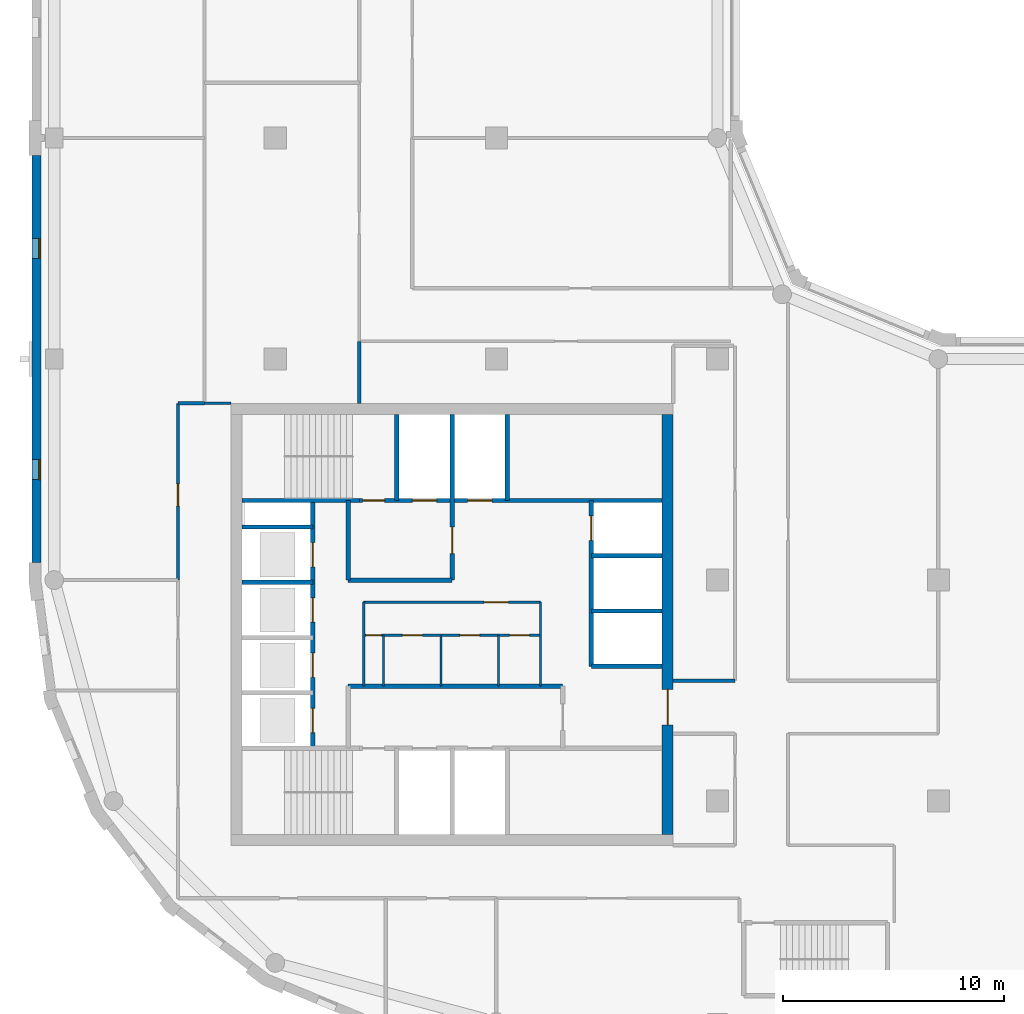
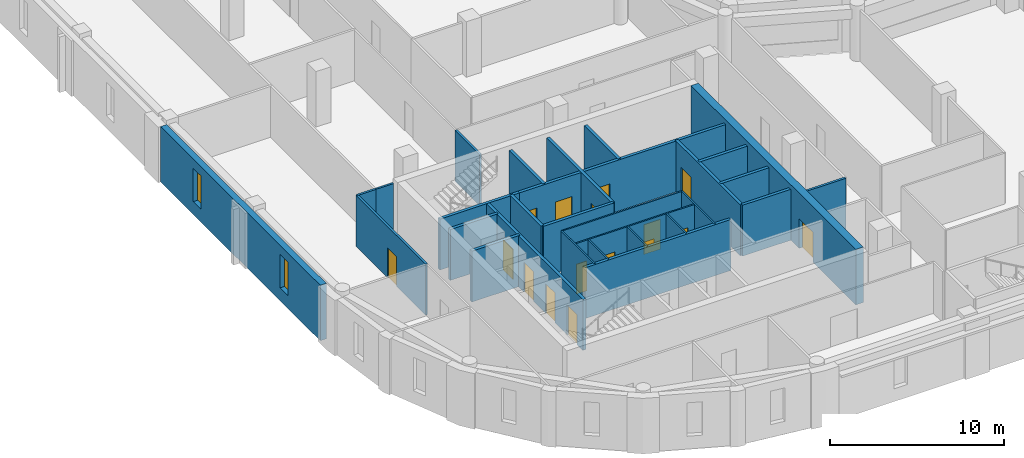
# One storey, part 3 of 9: 29 walls, 16 doors, 2 windows, 18 openings.
"""IFC4 building model written with IfcOpenShell, lengths in metres."""

from ifc_helpers import new_model, si_unit, direction, frame, frame_2d, origin, place, context, subcontext, project, spatial, rectangle, extrude, material, layer, layer_set, type_object, element, fill, save


model = new_model("IFC4")

# Units and contexts
model_context = context("Model", 3, precision=1e-05, world=origin(), true_north=direction((0.0, 1.0)))
body_context = subcontext(model_context, "Body", "Model", "MODEL_VIEW")
ifc_project = project(units=[si_unit("LENGTHUNIT", "METRE"), si_unit("AREAUNIT", "SQUARE_METRE"), si_unit("VOLUMEUNIT", "CUBIC_METRE"), si_unit("PLANEANGLEUNIT", "RADIAN"), si_unit("MASSUNIT", "GRAM", prefix="KILO")], contexts=[model_context])

# Site, building, storey
site_placement = place(None, origin())
site = spatial("IfcSite", under=ifc_project, at=site_placement, CompositionType="ELEMENT")
building_placement = place(site_placement, origin())
building = spatial("IfcBuilding", under=site, at=building_placement, Name="Qaws Garden Tower", CompositionType="ELEMENT")
storey_placement = place(building_placement, frame((0.0, 0.0, 270.89990234375)))
storey = spatial("IfcBuildingStorey", under=building, at=storey_placement, Name="L65", CompositionType="ELEMENT", Elevation=270.89990234375)

# Wall, openings, windows
ifc_material_1 = material(Name="Clay facing brick masonry", Category="masonry")
ifc_layer_1 = layer(ifc_material_1, 0.39990234375)
ifc_layer_set_1 = layer_set([ifc_layer_1], Name="Clay facing brick masonry")
wall_type_1 = type_object("IfcWallType", Name="Brick infill wall 400", PredefinedType="SOLIDWALL", material=ifc_layer_set_1)
wall_1_placement = place(storey_placement, frame((-0.800048828125, 39.199951171875, 0.0), z_axis=(0.0, 0.0, 1.0), x_axis=(0.0, -1.0, 0.0)))
wall_1 = element("IfcWall", 1, at=wall_1_placement, inside=storey, type_object=wall_type_1, Name="E-L65-infill-21", PredefinedType="SOLIDWALL", context=body_context, shape_type="SweptSolid", body=[
    extrude(rectangle(XDim=18.39990234375, YDim=0.39990234375, at=frame_2d((9.199951171875, 0.0))), origin(), (0.0, 0.0, 1.0), 3.900146484375),
])
opening_1_placement = place(wall_1_placement, frame((3.75, 0.0, 0.89990234375)))
opening_1 = element("IfcOpeningElement", 2, at=opening_1_placement, cuts=wall_1, Name="Opening W09", PredefinedType="OPENING", context=body_context, shape_type="SweptSolid", body=[
    extrude(rectangle(XDim=0.89990234375, YDim=2.35009765625, at=frame_2d((0.449951171875, 1.175048828125))), frame((0.0, 0.2099609375, 0.0), z_axis=(0.0, -1.0, 0.0), x_axis=(1.0, 0.0, 0.0)), (0.0, 0.0, 1.0), 0.419921875),
])
opening_2_placement = place(wall_1_placement, frame((13.75, 0.0, 0.89990234375)))
opening_2 = element("IfcOpeningElement", 3, at=opening_2_placement, cuts=wall_1, Name="Opening W09", PredefinedType="OPENING", context=body_context, shape_type="SweptSolid", body=[
    extrude(rectangle(XDim=0.89990234375, YDim=2.35009765625, at=frame_2d((0.449951171875, 1.175048828125))), frame((0.0, 0.2099609375, 0.0), z_axis=(0.0, -1.0, 0.0), x_axis=(1.0, 0.0, 0.0)), (0.0, 0.0, 1.0), 0.419921875),
])
ifc_material_2 = material(Name="Aluminium framed window, clear glazing", Category="aluminium")
window_type = type_object("IfcWindowType", Name="Slit window 900 x 2350", PartitioningType="SINGLE_PANEL", PredefinedType="WINDOW", material=ifc_material_2)
window_1_placement = place(opening_1_placement, origin())
window_1 = element("IfcWindow", 4, at=window_1_placement, inside=storey, type_object=window_type, Name="E-L65-window-21-0", OverallHeight=2.35009765625, OverallWidth=0.89990234375, PartitioningType="SINGLE_PANEL", PredefinedType="WINDOW", context=body_context, shape_type="SweptSolid", body=[
    extrude(rectangle(XDim=0.89990234375, YDim=2.35009765625, at=frame_2d((0.449951171875, 1.175048828125))), frame((0.0, 0.159912109375, 0.0), z_axis=(0.0, -1.0, 0.0), x_axis=(1.0, 0.0, 0.0)), (0.0, 0.0, 1.0), 0.06005859375),
])
fill(opening_1, window_1)
window_2_placement = place(opening_2_placement, origin())
window_2 = element("IfcWindow", 5, at=window_2_placement, inside=storey, type_object=window_type, Name="E-L65-window-22-0", OverallHeight=2.35009765625, OverallWidth=0.89990234375, PartitioningType="SINGLE_PANEL", PredefinedType="WINDOW", context=body_context, shape_type="SweptSolid", body=[
    extrude(rectangle(XDim=0.89990234375, YDim=2.35009765625, at=frame_2d((0.449951171875, 1.175048828125))), frame((0.0, 0.159912109375, 0.0), z_axis=(0.0, -1.0, 0.0), x_axis=(1.0, 0.0, 0.0)), (0.0, 0.0, 1.0), 0.06005859375),
])
fill(opening_2, window_2)

# Wall, openings, doors
ifc_material_3 = material(Name="Plasterboard")
ifc_layer_2 = layer(ifc_material_3, 0.10009765625)
ifc_layer_set_2 = layer_set([ifc_layer_2], Name="Plasterboard")
wall_type_2 = type_object("IfcWallType", Name="Core partition 100", PredefinedType="PARTITIONING", material=ifc_layer_set_2)
wall_2_placement = place(storey_placement, frame((14.0, 17.5, 0.0), z_axis=(0.0, 0.0, 1.0), x_axis=(1.0, 0.0, 0.0)))
wall_2 = element("IfcWall", 6, at=wall_2_placement, inside=storey, type_object=wall_type_2, Name="Core partition", PredefinedType="PARTITIONING", context=body_context, shape_type="SweptSolid", body=[
    extrude(rectangle(XDim=8.0, YDim=0.10009765625, at=frame_2d((4.0, 0.0))), origin(), (0.0, 0.0, 1.0), 3.580078125),
])
opening_3_placement = place(wall_2_placement, frame((0.10009765625, 0.0, 0.0)))
opening_3 = element("IfcOpeningElement", 7, at=opening_3_placement, cuts=wall_2, Name="Opening XD18", PredefinedType="OPENING", context=body_context, shape_type="SweptSolid", body=[
    extrude(rectangle(XDim=0.699951171875, YDim=2.10009765625, at=frame_2d((0.35009765625, 1.050048828125))), frame((0.0, 0.06005859375, 0.0), z_axis=(0.0, -1.0, 0.0), x_axis=(1.0, 0.0, 0.0)), (0.0, 0.0, 1.0), 0.1201171875),
])
opening_4_placement = place(wall_2_placement, frame((1.75, 0.0, 0.0)))
opening_4 = element("IfcOpeningElement", 8, at=opening_4_placement, cuts=wall_2, Name="Opening WD19", PredefinedType="OPENING", context=body_context, shape_type="SweptSolid", body=[
    extrude(rectangle(XDim=0.89990234375, YDim=2.10009765625, at=frame_2d((0.449951171875, 1.050048828125))), frame((0.0, 0.06005859375, 0.0), z_axis=(0.0, -1.0, 0.0), x_axis=(1.0, 0.0, 0.0)), (0.0, 0.0, 1.0), 0.1201171875),
])
opening_5_placement = place(wall_2_placement, frame((4.35009765625, 0.0, 0.0)))
opening_5 = element("IfcOpeningElement", 9, at=opening_5_placement, cuts=wall_2, Name="Opening WD20", PredefinedType="OPENING", context=body_context, shape_type="SweptSolid", body=[
    extrude(rectangle(XDim=0.89990234375, YDim=2.10009765625, at=frame_2d((0.449951171875, 1.050048828125))), frame((0.0, 0.06005859375, 0.0), z_axis=(0.0, -1.0, 0.0), x_axis=(1.0, 0.0, 0.0)), (0.0, 0.0, 1.0), 0.1201171875),
])
opening_6_placement = place(wall_2_placement, frame((6.60009765625, 0.0, 0.0)))
opening_6 = element("IfcOpeningElement", 10, at=opening_6_placement, cuts=wall_2, Name="Opening WD21", PredefinedType="OPENING", context=body_context, shape_type="SweptSolid", body=[
    extrude(rectangle(XDim=0.89990234375, YDim=2.10009765625, at=frame_2d((0.449951171875, 1.050048828125))), frame((0.0, 0.06005859375, 0.0), z_axis=(0.0, -1.0, 0.0), x_axis=(1.0, 0.0, 0.0)), (0.0, 0.0, 1.0), 0.1201171875),
])
ifc_material_4 = material(Name="Timber", Category="wood")
door_type_1 = type_object("IfcDoorType", Name="Store door 700x2100", OperationType="SINGLE_SWING_LEFT", PredefinedType="DOOR", material=ifc_material_4)
door_1_placement = place(opening_3_placement, frame((0.699951171875, 0.0, 0.0), z_axis=(0.0, 0.0, 1.0), x_axis=(-1.0, 0.0, 0.0)))
door_1 = element("IfcDoor", 11, at=door_1_placement, inside=storey, type_object=door_type_1, Name="Cleaner's store door", OperationType="SINGLE_SWING_LEFT", OverallHeight=2.10009765625, OverallWidth=0.699951171875, PredefinedType="DOOR", context=body_context, shape_type="SweptSolid", body=[
    extrude(rectangle(XDim=0.699951171875, YDim=2.10009765625, at=frame_2d((0.35009765625, 1.050048828125))), frame((0.0, 0.02490234375, 0.0), z_axis=(0.0, -1.0, 0.0), x_axis=(1.0, 0.0, 0.0)), (0.0, 0.0, 1.0), 0.050048828125),
])
fill(opening_3, door_1)
ifc_material_5 = material(Name="Timber", Category="wood")
door_type_2 = type_object("IfcDoorType", Name="WC door 900x2100", OperationType="SINGLE_SWING_LEFT", PredefinedType="DOOR", material=ifc_material_5)
door_2_placement = place(opening_4_placement, frame((0.89990234375, 0.0, 0.0), z_axis=(0.0, 0.0, 1.0), x_axis=(-1.0, 0.0, 0.0)))
door_2 = element("IfcDoor", 12, at=door_2_placement, inside=storey, type_object=door_type_2, Name="Men's WC door", OperationType="SINGLE_SWING_LEFT", OverallHeight=2.10009765625, OverallWidth=0.89990234375, PredefinedType="DOOR", context=body_context, shape_type="SweptSolid", body=[
    extrude(rectangle(XDim=0.89990234375, YDim=2.10009765625, at=frame_2d((0.449951171875, 1.050048828125))), frame((0.0, 0.02490234375, 0.0), z_axis=(0.0, -1.0, 0.0), x_axis=(1.0, 0.0, 0.0)), (0.0, 0.0, 1.0), 0.050048828125),
])
fill(opening_4, door_2)
door_3_placement = place(opening_5_placement, frame((0.89990234375, 0.0, 0.0), z_axis=(0.0, 0.0, 1.0), x_axis=(-1.0, 0.0, 0.0)))
door_3 = element("IfcDoor", 13, at=door_3_placement, inside=storey, type_object=door_type_2, Name="Women's WC door", OperationType="SINGLE_SWING_LEFT", OverallHeight=2.10009765625, OverallWidth=0.89990234375, PredefinedType="DOOR", context=body_context, shape_type="SweptSolid", body=[
    extrude(rectangle(XDim=0.89990234375, YDim=2.10009765625, at=frame_2d((0.449951171875, 1.050048828125))), frame((0.0, 0.02490234375, 0.0), z_axis=(0.0, -1.0, 0.0), x_axis=(1.0, 0.0, 0.0)), (0.0, 0.0, 1.0), 0.050048828125),
])
fill(opening_5, door_3)
door_4_placement = place(opening_6_placement, frame((0.89990234375, 0.0, 0.0), z_axis=(0.0, 0.0, 1.0), x_axis=(-1.0, 0.0, 0.0)))
door_4 = element("IfcDoor", 14, at=door_4_placement, inside=storey, type_object=door_type_2, Name="Accessible WC door", OperationType="SINGLE_SWING_LEFT", OverallHeight=2.10009765625, OverallWidth=0.89990234375, PredefinedType="DOOR", context=body_context, shape_type="SweptSolid", body=[
    extrude(rectangle(XDim=0.89990234375, YDim=2.10009765625, at=frame_2d((0.449951171875, 1.050048828125))), frame((0.0, 0.02490234375, 0.0), z_axis=(0.0, -1.0, 0.0), x_axis=(1.0, 0.0, 0.0)), (0.0, 0.0, 1.0), 0.050048828125),
])
fill(opening_6, door_4)

# Wall, opening, door
wall_3_placement = place(storey_placement, frame((14.0, 19.0, 0.0), z_axis=(0.0, 0.0, 1.0), x_axis=(1.0, 0.0, 0.0)))
wall_3 = element("IfcWall", 15, at=wall_3_placement, inside=storey, type_object=wall_type_2, Name="Core partition", PredefinedType="PARTITIONING", context=body_context, shape_type="SweptSolid", body=[
    extrude(rectangle(XDim=8.0, YDim=0.10009765625, at=frame_2d((4.0, 0.0))), origin(), (0.0, 0.0, 1.0), 3.580078125),
])
opening_7_placement = place(wall_3_placement, frame((5.449951171875, 0.0, 0.0)))
opening_7 = element("IfcOpeningElement", 16, at=opening_7_placement, cuts=wall_3, Name="Opening WL17", PredefinedType="OPENING", context=body_context, shape_type="SweptSolid", body=[
    extrude(rectangle(XDim=1.10009765625, YDim=2.10009765625, at=frame_2d((0.550048828125, 1.050048828125))), frame((0.0, 0.06005859375, 0.0), z_axis=(0.0, -1.0, 0.0), x_axis=(1.0, 0.0, 0.0)), (0.0, 0.0, 1.0), 0.1201171875),
])
ifc_material_6 = material(Name="Timber", Category="wood")
door_type_3 = type_object("IfcDoorType", Name="WC lobby door 1100x2100", OperationType="SINGLE_SWING_LEFT", PredefinedType="DOOR", material=ifc_material_6)
door_5_placement = place(opening_7_placement, frame((1.10009765625, 0.0, 0.0), z_axis=(0.0, 0.0, 1.0), x_axis=(-1.0, 0.0, 0.0)))
door_5 = element("IfcDoor", 17, at=door_5_placement, inside=storey, type_object=door_type_3, Name="WC lobby door", OperationType="SINGLE_SWING_LEFT", OverallHeight=2.10009765625, OverallWidth=1.10009765625, PredefinedType="DOOR", context=body_context, shape_type="SweptSolid", body=[
    extrude(rectangle(XDim=1.10009765625, YDim=2.10009765625, at=frame_2d((0.550048828125, 1.050048828125))), frame((0.0, 0.02490234375, 0.0), z_axis=(0.0, -1.0, 0.0), x_axis=(1.0, 0.0, 0.0)), (0.0, 0.0, 1.0), 0.050048828125),
])
fill(opening_7, door_5)

# Walls
wall_4_placement = place(storey_placement, frame((14.0, 15.199951171875, 0.0), z_axis=(0.0, 0.0, 1.0), x_axis=(0.0, 1.0, 0.0)))
element("IfcWall", 18, at=wall_4_placement, inside=storey, type_object=wall_type_2, Name="Core partition", PredefinedType="PARTITIONING", context=body_context, shape_type="SweptSolid", body=[
    extrude(rectangle(XDim=3.800048828125, YDim=0.10009765625, at=frame_2d((1.89990234375, 0.0))), origin(), (0.0, 0.0, 1.0), 3.580078125),
])
for number, where, z_axis, x_axis, name in (
    (19, (14.89990234375, 15.199951171875, 0.0), (0.0, 0.0, 1.0), (0.0, 1.0, 0.0), "Core partition"),
    (20, (17.5, 15.199951171875, 0.0), (0.0, 0.0, 1.0), (0.0, 1.0, 0.0), "Core partition"),
    (21, (20.10009765625, 15.199951171875, 0.0), (0.0, 0.0, 1.0), (0.0, 1.0, 0.0), "Core partition"),
):
    element("IfcWall", number, at=place(storey_placement, frame(where, z_axis=z_axis, x_axis=x_axis)), inside=storey, type_object=wall_type_2, Name=name, PredefinedType="PARTITIONING", context=body_context, shape_type="SweptSolid", body=[
        extrude(rectangle(XDim=2.300048828125, YDim=0.10009765625, at=frame_2d((1.14990234375, 0.0))), origin(), (0.0, 0.0, 1.0), 3.580078125),
    ])
wall_5_placement = place(storey_placement, frame((22.0, 15.199951171875, 0.0), z_axis=(0.0, 0.0, 1.0), x_axis=(0.0, 1.0, 0.0)))
element("IfcWall", 22, at=wall_5_placement, inside=storey, type_object=wall_type_2, Name="Core partition", PredefinedType="PARTITIONING", context=body_context, shape_type="SweptSolid", body=[
    extrude(rectangle(XDim=3.800048828125, YDim=0.10009765625, at=frame_2d((1.89990234375, 0.0))), origin(), (0.0, 0.0, 1.0), 3.580078125),
])
ifc_material_7 = material(Name="Concrete C60", Category="concrete")
ifc_layer_3 = layer(ifc_material_7, 0.199951171875)
ifc_layer_set_3 = layer_set([ifc_layer_3], Name="Concrete C60")
wall_type_3 = type_object("IfcWallType", Name="Core shaft wall 200 C60", PredefinedType="SHEAR", material=ifc_layer_set_3)
wall_6_placement = place(storey_placement, frame((13.300048828125, 15.199951171875, 0.0), z_axis=(0.0, 0.0, 1.0), x_axis=(1.0, 0.0, 0.0)))
element("IfcWall", 23, at=wall_6_placement, inside=storey, type_object=wall_type_3, Name="Shaft wall", PredefinedType="SHEAR", context=body_context, shape_type="SweptSolid", body=[
    extrude(rectangle(XDim=9.699951171875, YDim=0.199951171875, at=frame_2d((4.85009765625, 0.0))), origin(), (0.0, 0.0, 1.0), 3.580078125),
])
for number, where, z_axis, x_axis, name in (
    (24, (24.300048828125, 16.10009765625, 0.0), (0.0, 0.0, 1.0), (1.0, 0.0, 0.0), "Shaft wall"),
    (25, (24.300048828125, 18.60009765625, 0.0), (0.0, 0.0, 1.0), (1.0, 0.0, 0.0), "Shaft wall"),
    (26, (8.5, 19.89990234375, 0.0), (0.0, 0.0, 1.0), (1.0, 0.0, 0.0), "Shaft wall"),
):
    element("IfcWall", number, at=place(storey_placement, frame(where, z_axis=z_axis, x_axis=x_axis)), inside=storey, type_object=wall_type_3, Name=name, PredefinedType="SHEAR", context=body_context, shape_type="SweptSolid", body=[
        extrude(rectangle(XDim=3.199951171875, YDim=0.199951171875, at=frame_2d((1.60009765625, 0.0))), origin(), (0.0, 0.0, 1.0), 3.580078125),
    ])
wall_7_placement = place(storey_placement, frame((13.300048828125, 20.0, 0.0), z_axis=(0.0, 0.0, 1.0), x_axis=(1.0, 0.0, 0.0)))
element("IfcWall", 27, at=wall_7_placement, inside=storey, type_object=wall_type_3, Name="Shaft wall", PredefinedType="SHEAR", context=body_context, shape_type="SweptSolid", body=[
    extrude(rectangle(XDim=4.699951171875, YDim=0.199951171875, at=frame_2d((2.35009765625, 0.0))), origin(), (0.0, 0.0, 1.0), 3.580078125),
])
for number, where, z_axis, x_axis, name in (
    (28, (24.300048828125, 21.10009765625, 0.0), (0.0, 0.0, 1.0), (1.0, 0.0, 0.0), "Shaft wall"),
    (29, (8.5, 22.39990234375, 0.0), (0.0, 0.0, 1.0), (1.0, 0.0, 0.0), "Shaft wall"),
):
    element("IfcWall", number, at=place(storey_placement, frame(where, z_axis=z_axis, x_axis=x_axis)), inside=storey, type_object=wall_type_3, Name=name, PredefinedType="SHEAR", context=body_context, shape_type="SweptSolid", body=[
        extrude(rectangle(XDim=3.199951171875, YDim=0.199951171875, at=frame_2d((1.60009765625, 0.0))), origin(), (0.0, 0.0, 1.0), 3.580078125),
    ])
wall_8_placement = place(storey_placement, frame((8.5, 23.60009765625, 0.0), z_axis=(0.0, 0.0, 1.0), x_axis=(1.0, 0.0, 0.0)))
element("IfcWall", 30, at=wall_8_placement, inside=storey, type_object=wall_type_3, Name="Shaft wall", PredefinedType="SHEAR", context=body_context, shape_type="SweptSolid", body=[
    extrude(rectangle(XDim=5.300048828125, YDim=0.199951171875, at=frame_2d((2.64990234375, 0.0))), origin(), (0.0, 0.0, 1.0), 3.580078125),
])

# Wall, openings, doors
wall_9_placement = place(storey_placement, frame((13.800048828125, 23.60009765625, 0.0), z_axis=(0.0, 0.0, 1.0), x_axis=(1.0, 0.0, 0.0)))
wall_9 = element("IfcWall", 31, at=wall_9_placement, inside=storey, type_object=wall_type_3, Name="Shaft wall", PredefinedType="SHEAR", context=body_context, shape_type="SweptSolid", body=[
    extrude(rectangle(XDim=13.699951171875, YDim=0.199951171875, at=frame_2d((6.85009765625, 0.0))), origin(), (0.0, 0.0, 1.0), 3.580078125),
])
opening_8_placement = place(wall_9_placement, frame((2.39990234375, 0.0, 0.0)))
opening_8 = element("IfcOpeningElement", 32, at=opening_8_placement, cuts=wall_9, Name="Opening LD08", PredefinedType="OPENING", context=body_context, shape_type="SweptSolid", body=[
    extrude(rectangle(XDim=1.10009765625, YDim=2.10009765625, at=frame_2d((0.550048828125, 1.050048828125))), frame((0.0, 0.10986328125, 0.0), z_axis=(0.0, -1.0, 0.0), x_axis=(1.0, 0.0, 0.0)), (0.0, 0.0, 1.0), 0.219970703125),
])
opening_9_placement = place(wall_9_placement, frame((4.89990234375, 0.0, 0.0)))
opening_9 = element("IfcOpeningElement", 33, at=opening_9_placement, cuts=wall_9, Name="Opening LD09", PredefinedType="OPENING", context=body_context, shape_type="SweptSolid", body=[
    extrude(rectangle(XDim=1.10009765625, YDim=2.10009765625, at=frame_2d((0.550048828125, 1.050048828125))), frame((0.0, 0.10986328125, 0.0), z_axis=(0.0, -1.0, 0.0), x_axis=(1.0, 0.0, 0.0)), (0.0, 0.0, 1.0), 0.219970703125),
])
opening_10_placement = place(wall_9_placement, frame((0.14990234375, 0.0, 0.0)))
opening_10 = element("IfcOpeningElement", 34, at=opening_10_placement, cuts=wall_9, Name="Opening SD11", PredefinedType="OPENING", context=body_context, shape_type="SweptSolid", body=[
    extrude(rectangle(XDim=1.0, YDim=2.10009765625, at=frame_2d((0.5, 1.050048828125))), frame((0.0, 0.10986328125, 0.0), z_axis=(0.0, -1.0, 0.0), x_axis=(1.0, 0.0, 0.0)), (0.0, 0.0, 1.0), 0.219970703125),
])
ifc_material_8 = material(Name="Steel S235", Category="steel")
door_type_4 = type_object("IfcDoorType", Name="Landing door 1100x2100", OperationType="DOUBLE_DOOR_SLIDING", PredefinedType="DOOR", material=ifc_material_8)
door_6_placement = place(opening_8_placement, origin())
door_6 = element("IfcDoor", 35, at=door_6_placement, inside=storey, type_object=door_type_4, Name="Lift FF3 landing door", OperationType="DOUBLE_DOOR_SLIDING", OverallHeight=2.10009765625, OverallWidth=1.10009765625, PredefinedType="DOOR", context=body_context, shape_type="SweptSolid", body=[
    extrude(rectangle(XDim=1.10009765625, YDim=2.10009765625, at=frame_2d((0.550048828125, 1.050048828125))), frame((0.0, 0.02490234375, 0.0), z_axis=(0.0, -1.0, 0.0), x_axis=(1.0, 0.0, 0.0)), (0.0, 0.0, 1.0), 0.050048828125),
])
fill(opening_8, door_6)
door_7_placement = place(opening_9_placement, origin())
door_7 = element("IfcDoor", 36, at=door_7_placement, inside=storey, type_object=door_type_4, Name="Lift SV2 landing door", OperationType="DOUBLE_DOOR_SLIDING", OverallHeight=2.10009765625, OverallWidth=1.10009765625, PredefinedType="DOOR", context=body_context, shape_type="SweptSolid", body=[
    extrude(rectangle(XDim=1.10009765625, YDim=2.10009765625, at=frame_2d((0.550048828125, 1.050048828125))), frame((0.0, 0.02490234375, 0.0), z_axis=(0.0, -1.0, 0.0), x_axis=(1.0, 0.0, 0.0)), (0.0, 0.0, 1.0), 0.050048828125),
])
fill(opening_9, door_7)
ifc_material_9 = material(Name="Steel S235", Category="steel")
door_type_5 = type_object("IfcDoorType", Name="Stair door 1000x2100", OperationType="SINGLE_SWING_RIGHT", PredefinedType="DOOR", material=ifc_material_9)
door_8_placement = place(opening_10_placement, origin())
door_8 = element("IfcDoor", 37, at=door_8_placement, inside=storey, type_object=door_type_5, Name="Stair 4 door", OperationType="SINGLE_SWING_RIGHT", OverallHeight=2.10009765625, OverallWidth=1.0, PredefinedType="DOOR", context=body_context, shape_type="SweptSolid", body=[
    extrude(rectangle(XDim=1.0, YDim=2.10009765625, at=frame_2d((0.5, 1.050048828125))), frame((0.0, 0.02490234375, 0.0), z_axis=(0.0, -1.0, 0.0), x_axis=(1.0, 0.0, 0.0)), (0.0, 0.0, 1.0), 0.050048828125),
])
fill(opening_10, door_8)

wall_10_placement = place(storey_placement, frame((11.699951171875, 12.39990234375, 0.0), z_axis=(0.0, 0.0, 1.0), x_axis=(0.0, 1.0, 0.0)))
wall_10 = element("IfcWall", 38, at=wall_10_placement, inside=storey, type_object=wall_type_3, Name="Shaft wall", PredefinedType="SHEAR", context=body_context, shape_type="SweptSolid", body=[
    extrude(rectangle(XDim=11.2001953125, YDim=0.199951171875, at=frame_2d((5.60009765625, 0.0))), origin(), (0.0, 0.0, 1.0), 3.580078125),
])
opening_11_placement = place(wall_10_placement, frame((0.699951171875, 0.0, 0.0)))
opening_11 = element("IfcOpeningElement", 39, at=opening_11_placement, cuts=wall_10, Name="Opening LD01", PredefinedType="OPENING", context=body_context, shape_type="SweptSolid", body=[
    extrude(rectangle(XDim=1.10009765625, YDim=2.10009765625, at=frame_2d((0.550048828125, 1.050048828125))), frame((0.0, 0.10986328125, 0.0), z_axis=(0.0, -1.0, 0.0), x_axis=(1.0, 0.0, 0.0)), (0.0, 0.0, 1.0), 0.219970703125),
])
opening_12_placement = place(wall_10_placement, frame((3.199951171875, 0.0, 0.0)))
opening_12 = element("IfcOpeningElement", 40, at=opening_12_placement, cuts=wall_10, Name="Opening LD02", PredefinedType="OPENING", context=body_context, shape_type="SweptSolid", body=[
    extrude(rectangle(XDim=1.10009765625, YDim=2.10009765625, at=frame_2d((0.550048828125, 1.050048828125))), frame((0.0, 0.10986328125, 0.0), z_axis=(0.0, -1.0, 0.0), x_axis=(1.0, 0.0, 0.0)), (0.0, 0.0, 1.0), 0.219970703125),
])
opening_13_placement = place(wall_10_placement, frame((5.699951171875, 0.0, 0.0)))
opening_13 = element("IfcOpeningElement", 41, at=opening_13_placement, cuts=wall_10, Name="Opening LD03", PredefinedType="OPENING", context=body_context, shape_type="SweptSolid", body=[
    extrude(rectangle(XDim=1.10009765625, YDim=2.10009765625, at=frame_2d((0.550048828125, 1.050048828125))), frame((0.0, 0.10986328125, 0.0), z_axis=(0.0, -1.0, 0.0), x_axis=(1.0, 0.0, 0.0)), (0.0, 0.0, 1.0), 0.219970703125),
])
opening_14_placement = place(wall_10_placement, frame((8.199951171875, 0.0, 0.0)))
opening_14 = element("IfcOpeningElement", 42, at=opening_14_placement, cuts=wall_10, Name="Opening LD04", PredefinedType="OPENING", context=body_context, shape_type="SweptSolid", body=[
    extrude(rectangle(XDim=1.10009765625, YDim=2.10009765625, at=frame_2d((0.550048828125, 1.050048828125))), frame((0.0, 0.10986328125, 0.0), z_axis=(0.0, -1.0, 0.0), x_axis=(1.0, 0.0, 0.0)), (0.0, 0.0, 1.0), 0.219970703125),
])
door_9_placement = place(opening_11_placement, origin())
door_9 = element("IfcDoor", 43, at=door_9_placement, inside=storey, type_object=door_type_4, Name="Lift W1 landing door", OperationType="DOUBLE_DOOR_SLIDING", OverallHeight=2.10009765625, OverallWidth=1.10009765625, PredefinedType="DOOR", context=body_context, shape_type="SweptSolid", body=[
    extrude(rectangle(XDim=1.10009765625, YDim=2.10009765625, at=frame_2d((0.550048828125, 1.050048828125))), frame((0.0, 0.02490234375, 0.0), z_axis=(0.0, -1.0, 0.0), x_axis=(1.0, 0.0, 0.0)), (0.0, 0.0, 1.0), 0.050048828125),
])
fill(opening_11, door_9)
door_10_placement = place(opening_12_placement, origin())
door_10 = element("IfcDoor", 44, at=door_10_placement, inside=storey, type_object=door_type_4, Name="Lift W2 landing door", OperationType="DOUBLE_DOOR_SLIDING", OverallHeight=2.10009765625, OverallWidth=1.10009765625, PredefinedType="DOOR", context=body_context, shape_type="SweptSolid", body=[
    extrude(rectangle(XDim=1.10009765625, YDim=2.10009765625, at=frame_2d((0.550048828125, 1.050048828125))), frame((0.0, 0.02490234375, 0.0), z_axis=(0.0, -1.0, 0.0), x_axis=(1.0, 0.0, 0.0)), (0.0, 0.0, 1.0), 0.050048828125),
])
fill(opening_12, door_10)
door_11_placement = place(opening_13_placement, origin())
door_11 = element("IfcDoor", 45, at=door_11_placement, inside=storey, type_object=door_type_4, Name="Lift W3 landing door", OperationType="DOUBLE_DOOR_SLIDING", OverallHeight=2.10009765625, OverallWidth=1.10009765625, PredefinedType="DOOR", context=body_context, shape_type="SweptSolid", body=[
    extrude(rectangle(XDim=1.10009765625, YDim=2.10009765625, at=frame_2d((0.550048828125, 1.050048828125))), frame((0.0, 0.02490234375, 0.0), z_axis=(0.0, -1.0, 0.0), x_axis=(1.0, 0.0, 0.0)), (0.0, 0.0, 1.0), 0.050048828125),
])
fill(opening_13, door_11)
door_12_placement = place(opening_14_placement, origin())
door_12 = element("IfcDoor", 46, at=door_12_placement, inside=storey, type_object=door_type_4, Name="Lift W4 landing door", OperationType="DOUBLE_DOOR_SLIDING", OverallHeight=2.10009765625, OverallWidth=1.10009765625, PredefinedType="DOOR", context=body_context, shape_type="SweptSolid", body=[
    extrude(rectangle(XDim=1.10009765625, YDim=2.10009765625, at=frame_2d((0.550048828125, 1.050048828125))), frame((0.0, 0.02490234375, 0.0), z_axis=(0.0, -1.0, 0.0), x_axis=(1.0, 0.0, 0.0)), (0.0, 0.0, 1.0), 0.050048828125),
])
fill(opening_14, door_12)

# Walls
wall_11_placement = place(storey_placement, frame((13.300048828125, 20.0, 0.0), z_axis=(0.0, 0.0, 1.0), x_axis=(0.0, 1.0, 0.0)))
element("IfcWall", 47, at=wall_11_placement, inside=storey, type_object=wall_type_3, Name="Shaft wall", PredefinedType="SHEAR", context=body_context, shape_type="SweptSolid", body=[
    extrude(rectangle(XDim=3.60009765625, YDim=0.199951171875, at=frame_2d((1.800048828125, 0.0))), origin(), (0.0, 0.0, 1.0), 3.580078125),
])
wall_12_placement = place(storey_placement, frame((15.5, 23.60009765625, 0.0), z_axis=(0.0, 0.0, 1.0), x_axis=(0.0, 1.0, 0.0)))
element("IfcWall", 48, at=wall_12_placement, inside=storey, type_object=wall_type_3, Name="Shaft wall", PredefinedType="SHEAR", context=body_context, shape_type="SweptSolid", body=[
    extrude(rectangle(XDim=3.89990234375, YDim=0.199951171875, at=frame_2d((1.949951171875, 0.0))), origin(), (0.0, 0.0, 1.0), 3.580078125),
])

# Wall, opening, door
wall_13_placement = place(storey_placement, frame((18.0, 20.0, 0.0), z_axis=(0.0, 0.0, 1.0), x_axis=(0.0, 1.0, 0.0)))
wall_13 = element("IfcWall", 49, at=wall_13_placement, inside=storey, type_object=wall_type_3, Name="Shaft wall", PredefinedType="SHEAR", context=body_context, shape_type="SweptSolid", body=[
    extrude(rectangle(XDim=7.5, YDim=0.199951171875, at=frame_2d((3.75, 0.0))), origin(), (0.0, 0.0, 1.0), 3.580078125),
])
opening_15_placement = place(wall_13_placement, frame((1.199951171875, 0.0, 0.0)))
opening_15 = element("IfcOpeningElement", 50, at=opening_15_placement, cuts=wall_13, Name="Opening FD16", PredefinedType="OPENING", context=body_context, shape_type="SweptSolid", body=[
    extrude(rectangle(XDim=1.199951171875, YDim=2.10009765625, at=frame_2d((0.60009765625, 1.050048828125))), frame((0.0, 0.10986328125, 0.0), z_axis=(0.0, -1.0, 0.0), x_axis=(1.0, 0.0, 0.0)), (0.0, 0.0, 1.0), 0.219970703125),
])
ifc_material_10 = material(Name="Steel S235", Category="steel")
door_type_6 = type_object("IfcDoorType", Name="Lobby door 1200x2100", OperationType="DOUBLE_DOOR_SINGLE_SWING", PredefinedType="DOOR", material=ifc_material_10)
door_13_placement = place(opening_15_placement, origin())
door_13 = element("IfcDoor", 51, at=door_13_placement, inside=storey, type_object=door_type_6, Name="Fire-fighting lobby door", OperationType="DOUBLE_DOOR_SINGLE_SWING", OverallHeight=2.10009765625, OverallWidth=1.199951171875, PredefinedType="DOOR", context=body_context, shape_type="SweptSolid", body=[
    extrude(rectangle(XDim=1.199951171875, YDim=2.10009765625, at=frame_2d((0.60009765625, 1.050048828125))), frame((0.0, 0.02490234375, 0.0), z_axis=(0.0, -1.0, 0.0), x_axis=(1.0, 0.0, 0.0)), (0.0, 0.0, 1.0), 0.050048828125),
])
fill(opening_15, door_13)

# Wall
wall_14_placement = place(storey_placement, frame((20.5, 23.60009765625, 0.0), z_axis=(0.0, 0.0, 1.0), x_axis=(0.0, 1.0, 0.0)))
element("IfcWall", 52, at=wall_14_placement, inside=storey, type_object=wall_type_3, Name="Shaft wall", PredefinedType="SHEAR", context=body_context, shape_type="SweptSolid", body=[
    extrude(rectangle(XDim=3.89990234375, YDim=0.199951171875, at=frame_2d((1.949951171875, 0.0))), origin(), (0.0, 0.0, 1.0), 3.580078125),
])

# Wall, opening, door
wall_15_placement = place(storey_placement, frame((24.300048828125, 16.10009765625, 0.0), z_axis=(0.0, 0.0, 1.0), x_axis=(0.0, 1.0, 0.0)))
wall_15 = element("IfcWall", 53, at=wall_15_placement, inside=storey, type_object=wall_type_3, Name="Shaft wall", PredefinedType="SHEAR", context=body_context, shape_type="SweptSolid", body=[
    extrude(rectangle(XDim=7.5, YDim=0.199951171875, at=frame_2d((3.75, 0.0))), origin(), (0.0, 0.0, 1.0), 3.580078125),
])
opening_16_placement = place(wall_15_placement, frame((5.699951171875, 0.0, 0.0)))
opening_16 = element("IfcOpeningElement", 54, at=opening_16_placement, cuts=wall_15, Name="Opening LD05", PredefinedType="OPENING", context=body_context, shape_type="SweptSolid", body=[
    extrude(rectangle(XDim=1.10009765625, YDim=2.10009765625, at=frame_2d((0.550048828125, 1.050048828125))), frame((0.0, 0.10986328125, 0.0), z_axis=(0.0, -1.0, 0.0), x_axis=(1.0, 0.0, 0.0)), (0.0, 0.0, 1.0), 0.219970703125),
])
door_14_placement = place(opening_16_placement, origin())
door_14 = element("IfcDoor", 55, at=door_14_placement, inside=storey, type_object=door_type_4, Name="Lift E3 landing door", OperationType="DOUBLE_DOOR_SLIDING", OverallHeight=2.10009765625, OverallWidth=1.10009765625, PredefinedType="DOOR", context=body_context, shape_type="SweptSolid", body=[
    extrude(rectangle(XDim=1.10009765625, YDim=2.10009765625, at=frame_2d((0.550048828125, 1.050048828125))), frame((0.0, 0.02490234375, 0.0), z_axis=(0.0, -1.0, 0.0), x_axis=(1.0, 0.0, 0.0)), (0.0, 0.0, 1.0), 0.050048828125),
])
fill(opening_16, door_14)

ifc_material_11 = material(Name="Concrete C60", Category="concrete")
ifc_layer_4 = layer(ifc_material_11, 0.5)
ifc_layer_set_4 = layer_set([ifc_layer_4], Name="Concrete C60")
wall_type_4 = type_object("IfcWallType", Name="Core wall 500 C60", PredefinedType="SHEAR", material=ifc_layer_set_4)
wall_16_placement = place(storey_placement, frame((27.75, 8.5, 0.0), z_axis=(0.0, 0.0, 1.0), x_axis=(0.0, 1.0, 0.0)))
wall_16 = element("IfcWall", 56, at=wall_16_placement, inside=storey, type_object=wall_type_4, Name="Core wall L65 east", PredefinedType="SHEAR", context=body_context, shape_type="SweptSolid", body=[
    extrude(rectangle(XDim=19.0, YDim=0.5, at=frame_2d((9.5, 0.0))), origin(), (0.0, 0.0, 1.0), 3.900146484375),
])
opening_17_placement = place(wall_16_placement, frame((4.949951171875, 0.0, 0.0)))
opening_17 = element("IfcOpeningElement", 57, at=opening_17_placement, cuts=wall_16, Name="Opening ED22", PredefinedType="OPENING", context=body_context, shape_type="SweptSolid", body=[
    extrude(rectangle(XDim=1.60009765625, YDim=2.10009765625, at=frame_2d((0.800048828125, 1.050048828125))), frame((0.0, 0.260009765625, 0.0), z_axis=(0.0, -1.0, 0.0), x_axis=(1.0, 0.0, 0.0)), (0.0, 0.0, 1.0), 0.52001953125),
])
ifc_material_12 = material(Name="Steel S235", Category="steel")
door_type_7 = type_object("IfcDoorType", Name="Core entrance door 1600x2100", OperationType="DOUBLE_DOOR_SINGLE_SWING", PredefinedType="DOOR", material=ifc_material_12)
door_15_placement = place(opening_17_placement, origin())
door_15 = element("IfcDoor", 58, at=door_15_placement, inside=storey, type_object=door_type_7, Name="Core entrance door", OperationType="DOUBLE_DOOR_SINGLE_SWING", OverallHeight=2.10009765625, OverallWidth=1.60009765625, PredefinedType="DOOR", context=body_context, shape_type="SweptSolid", body=[
    extrude(rectangle(XDim=1.60009765625, YDim=2.10009765625, at=frame_2d((0.800048828125, 1.050048828125))), frame((0.0, 0.02490234375, 0.0), z_axis=(0.0, -1.0, 0.0), x_axis=(1.0, 0.0, 0.0)), (0.0, 0.0, 1.0), 0.050048828125),
])
fill(opening_17, door_15)

# Wall
ifc_material_13 = material(Name="Glass and aluminium framing", Category="aluminium")
ifc_layer_5 = layer(ifc_material_13, 0.1201171875)
ifc_layer_set_5 = layer_set([ifc_layer_5], Name="Glass and aluminium framing")
wall_type_5 = type_object("IfcWallType", Name="GLAZED PARTITION 120 EI 30", PredefinedType="PARTITIONING", material=ifc_layer_set_5)
wall_17_placement = place(storey_placement, frame((6.800048828125, 28.0, 0.0), z_axis=(0.0, 0.0, 1.0), x_axis=(1.0, 0.0, 0.0)))
element("IfcWall", 59, at=wall_17_placement, inside=storey, type_object=wall_type_5, Name="O-L65-wall-052", PredefinedType="PARTITIONING", context=body_context, shape_type="SweptSolid", body=[
    extrude(rectangle(XDim=1.199951171875, YDim=0.1201171875, at=frame_2d((0.60009765625, 0.0))), origin(), (0.0, 0.0, 1.0), 3.580078125),
])

# Wall, opening, door
ifc_material_14 = material(Name="Gypsum board partition")
ifc_layer_6 = layer(ifc_material_14, 0.14990234375)
ifc_layer_set_6 = layer_set([ifc_layer_6], Name="Gypsum board partition")
wall_type_6 = type_object("IfcWallType", Name="PARTITION 150 EI 60", PredefinedType="PARTITIONING", material=ifc_layer_set_6)
wall_18_placement = place(storey_placement, frame((5.60009765625, 20.0, 0.0), z_axis=(0.0, 0.0, 1.0), x_axis=(0.0, 1.0, 0.0)))
wall_18 = element("IfcWall", 60, at=wall_18_placement, inside=storey, type_object=wall_type_6, Name="O-L65-wall-003", PredefinedType="PARTITIONING", context=body_context, shape_type="SweptSolid", body=[
    extrude(rectangle(XDim=8.0, YDim=0.14990234375, at=frame_2d((4.0, 0.0))), origin(), (0.0, 0.0, 1.0), 3.580078125),
])
opening_18_placement = place(wall_18_placement, frame((3.35009765625, 0.0, 0.0)))
opening_18 = element("IfcOpeningElement", 61, at=opening_18_placement, cuts=wall_18, Name="Opening C203", PredefinedType="OPENING", context=body_context, shape_type="SweptSolid", body=[
    extrude(rectangle(XDim=1.0, YDim=2.10009765625, at=frame_2d((0.5, 1.050048828125))), frame((0.0, 0.0849609375, 0.0), z_axis=(0.0, -1.0, 0.0), x_axis=(1.0, 0.0, 0.0)), (0.0, 0.0, 1.0), 0.169921875),
])
ifc_material_15 = material(Name="Timber door leaf", Category="wood")
door_type_8 = type_object("IfcDoorType", Name="TENANCY ENTRANCE DOOR 1000 X 2100", OperationType="SINGLE_SWING_LEFT", PredefinedType="DOOR", material=ifc_material_15)
door_16_placement = place(opening_18_placement, origin())
door_16 = element("IfcDoor", 62, at=door_16_placement, inside=storey, type_object=door_type_8, Name="O-L65-door-003", OperationType="SINGLE_SWING_RIGHT", OverallHeight=2.10009765625, OverallWidth=1.0, PredefinedType="DOOR", context=body_context, shape_type="SweptSolid", body=[
    extrude(rectangle(XDim=1.0, YDim=2.10009765625, at=frame_2d((0.5, 1.050048828125))), frame((0.0, 0.02490234375, 0.0), z_axis=(0.0, -1.0, 0.0), x_axis=(1.0, 0.0, 0.0)), (0.0, 0.0, 1.0), 0.050048828125),
])
fill(opening_18, door_16)

# Walls
for number, where, z_axis, x_axis, name in (
    (63, (13.800048828125, 28.0, 0.0), (0.0, 0.0, 1.0), (0.0, 1.0, 0.0), "O-L65-wall-005"),
    (64, (28.0, 15.449951171875, 0.0), (0.0, 0.0, 1.0), (1.0, 0.0, 0.0), "O-L65-wall-022"),
):
    element("IfcWall", number, at=place(storey_placement, frame(where, z_axis=z_axis, x_axis=x_axis)), inside=storey, type_object=wall_type_6, Name=name, PredefinedType="PARTITIONING", context=body_context, shape_type="SweptSolid", body=[
        extrude(rectangle(XDim=2.800048828125, YDim=0.14990234375, at=frame_2d((1.39990234375, 0.0))), origin(), (0.0, 0.0, 1.0), 3.580078125),
    ])
wall_19_placement = place(storey_placement, frame((5.60009765625, 28.0, 0.0), z_axis=(0.0, 0.0, 1.0), x_axis=(1.0, 0.0, 0.0)))
element("IfcWall", 65, at=wall_19_placement, inside=storey, type_object=wall_type_6, Name="O-L65-wall-025", PredefinedType="PARTITIONING", context=body_context, shape_type="SweptSolid", body=[
    extrude(rectangle(XDim=1.199951171875, YDim=0.14990234375, at=frame_2d((0.60009765625, 0.0))), origin(), (0.0, 0.0, 1.0), 3.580078125),
])

save(model, "model.ifc")
